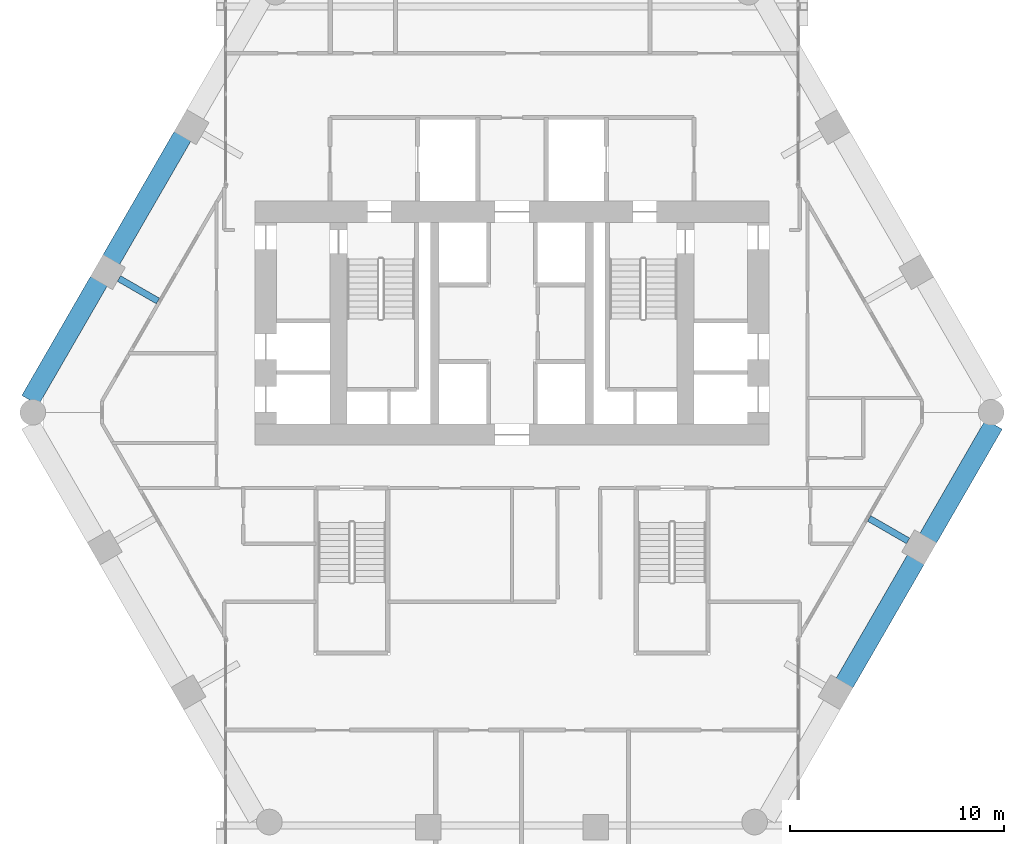
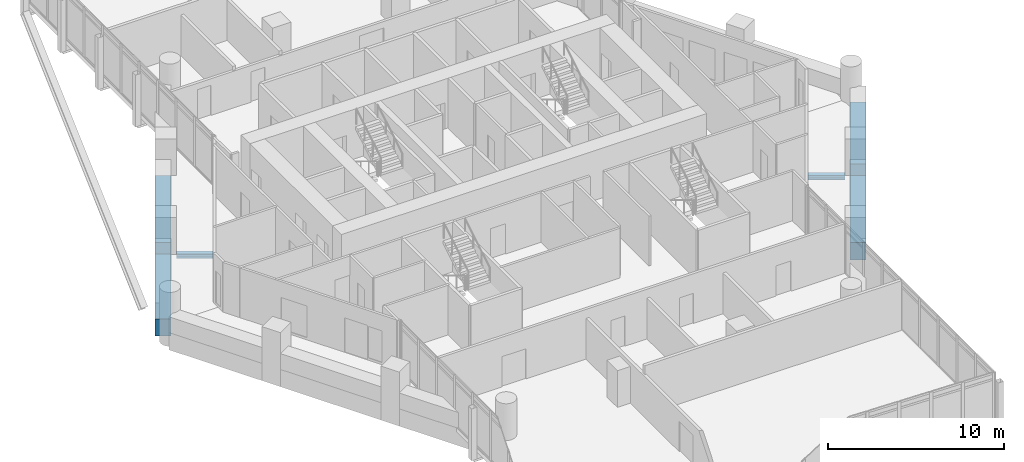
# One storey, part 15 of 37: 6 beams.
"""IFC4 building model written with IfcOpenShell, lengths in metres."""

from ifc_helpers import new_model, si_unit, direction, frame, origin, origin_2d, place, context, subcontext, project, spatial, rectangle, i_section, extrude, material, material_profile, profile_set, type_object, element, save


model = new_model("IFC4")

# Units and contexts
model_context = context("Model", 3, precision=1e-05, world=origin(), true_north=direction((0.0, 1.0)))
body_context = subcontext(model_context, "Body", "Model", "MODEL_VIEW")
ifc_project = project(units=[si_unit("LENGTHUNIT", "METRE"), si_unit("AREAUNIT", "SQUARE_METRE"), si_unit("VOLUMEUNIT", "CUBIC_METRE"), si_unit("PLANEANGLEUNIT", "RADIAN"), si_unit("MASSUNIT", "GRAM", prefix="KILO")], contexts=[model_context])

# Site, building, storey
site_placement = place(None, origin())
site = spatial("IfcSite", under=ifc_project, at=site_placement, CompositionType="ELEMENT")
building_placement = place(site_placement, origin())
building = spatial("IfcBuilding", under=site, at=building_placement, Name="Ostrander Bayou Hotel Tower", CompositionType="ELEMENT")
storey_placement = place(building_placement, frame((0.0, 0.0, 93.0)))
storey = spatial("IfcBuildingStorey", under=building, at=storey_placement, Name="L23", CompositionType="ELEMENT", Elevation=93.0)

# Beams
ifc_material_1 = material(Name="Steel ASTM A992", Category="steel")
ifc_material_profile_1 = material_profile(ifc_material_1, i_section(OverallWidth=0.3046875, OverallDepth=0.307861328125, WebThickness=0.010009765625, FlangeThickness=0.015380859375, at=origin_2d()))
ifc_profile_set_1 = profile_set([ifc_material_profile_1], Name="Steel ASTM A992")
beam_type_1 = type_object("IfcBeamType", Name="LB1 loggia bracket W12x65", PredefinedType="BEAM", material=ifc_profile_set_1)
beam_1_placement = place(storey_placement, frame((-18.352783203125, 6.084716796875, -0.453857421875), z_axis=(0.866059744384, -0.49994051562, 0.0), x_axis=(0.49994051562, 0.866059744384, 0.0)))
element("IfcBeam", 1, at=beam_1_placement, inside=storey, type_object=beam_type_1, Name="LB1 L23 NW2", PredefinedType="BEAM", context=body_context, shape_type="SweptSolid", body=[
    extrude(i_section(OverallWidth=0.3046875, OverallDepth=0.307861328125, WebThickness=0.010009765625, FlangeThickness=0.015380859375, at=origin_2d()), origin(), (0.0, 0.0, 1.0), 2.099853515625),
])
beam_2_placement = place(storey_placement, frame((18.494384765625, -6.166748046875, -0.453857421875), z_axis=(-0.866009402589, 0.500027713859, 0.0), x_axis=(-0.500027713859, -0.866009402589, 0.0)))
element("IfcBeam", 2, at=beam_2_placement, inside=storey, type_object=beam_type_1, Name="LB1 L23 SE2", PredefinedType="BEAM", context=body_context, shape_type="SweptSolid", body=[
    extrude(i_section(OverallWidth=0.3046875, OverallDepth=0.307861328125, WebThickness=0.010009765625, FlangeThickness=0.015380859375, at=origin_2d()), origin(), (0.0, 0.0, 1.0), 2.10009765625),
])
ifc_material_2 = material(Name="Concrete f'c 70 MPa", Category="concrete")
ifc_material_profile_2 = material_profile(ifc_material_2, rectangle(XDim=0.89990234375, YDim=1.199951171875, at=origin_2d()))
ifc_profile_set_2 = profile_set([ifc_material_profile_2], Name="Concrete f'c 70 MPa")
beam_type_2 = type_object("IfcBeamType", Name="SP2 spandrel beam 900 x 1200 mm f'c 70 MPa", PredefinedType="SPANDREL", material=ifc_profile_set_2)
beam_3_placement = place(storey_placement, frame((-15.380615234375, 12.73291015625, -0.60009765625), z_axis=(-0.499999023957, -0.866025967302, 0.0), x_axis=(0.866025967302, -0.499999023957, 0.0)))
element("IfcBeam", 3, at=beam_3_placement, inside=storey, type_object=beam_type_2, Name="SP2 L23 NW-2", PredefinedType="SPANDREL", context=body_context, shape_type="SweptSolid", body=[
    extrude(rectangle(XDim=0.89990234375, YDim=1.199951171875, at=origin_2d()), origin(), (0.0, 0.0, 1.0), 6.67333984375),
])
beam_4_placement = place(storey_placement, frame((-19.287109375, 5.96630859375, -0.60009765625), z_axis=(-0.500011789842, -0.866018596809, 0.0), x_axis=(0.866018596809, -0.500011789842, 0.0)))
element("IfcBeam", 4, at=beam_4_placement, inside=storey, type_object=beam_type_2, Name="SP2 L23 NW-3", PredefinedType="SPANDREL", context=body_context, shape_type="SweptSolid", body=[
    extrude(rectangle(XDim=0.89990234375, YDim=1.199951171875, at=origin_2d()), origin(), (0.0, 0.0, 1.0), 6.427490234375),
])
beam_5_placement = place(storey_placement, frame((15.522216796875, -12.814697265625, -0.60009765625), z_axis=(0.499999023957, 0.866025967302, 0.0), x_axis=(-0.866025967302, 0.499999023957, 0.0)))
element("IfcBeam", 5, at=beam_5_placement, inside=storey, type_object=beam_type_2, Name="SP2 L23 SE-2", PredefinedType="SPANDREL", context=body_context, shape_type="SweptSolid", body=[
    extrude(rectangle(XDim=0.89990234375, YDim=1.199951171875, at=origin_2d()), origin(), (0.0, 0.0, 1.0), 6.67333984375),
])
beam_6_placement = place(storey_placement, frame((19.428955078125, -6.048095703125, -0.60009765625), z_axis=(0.500006801911, 0.866021476663, 0.0), x_axis=(-0.866021476663, 0.500006801911, 0.0)))
element("IfcBeam", 6, at=beam_6_placement, inside=storey, type_object=beam_type_2, Name="SP2 L23 SE-3", PredefinedType="SPANDREL", context=body_context, shape_type="SweptSolid", body=[
    extrude(rectangle(XDim=0.89990234375, YDim=1.199951171875, at=origin_2d()), origin(), (0.0, 0.0, 1.0), 6.14404296875),
])

save(model, "model.ifc")
